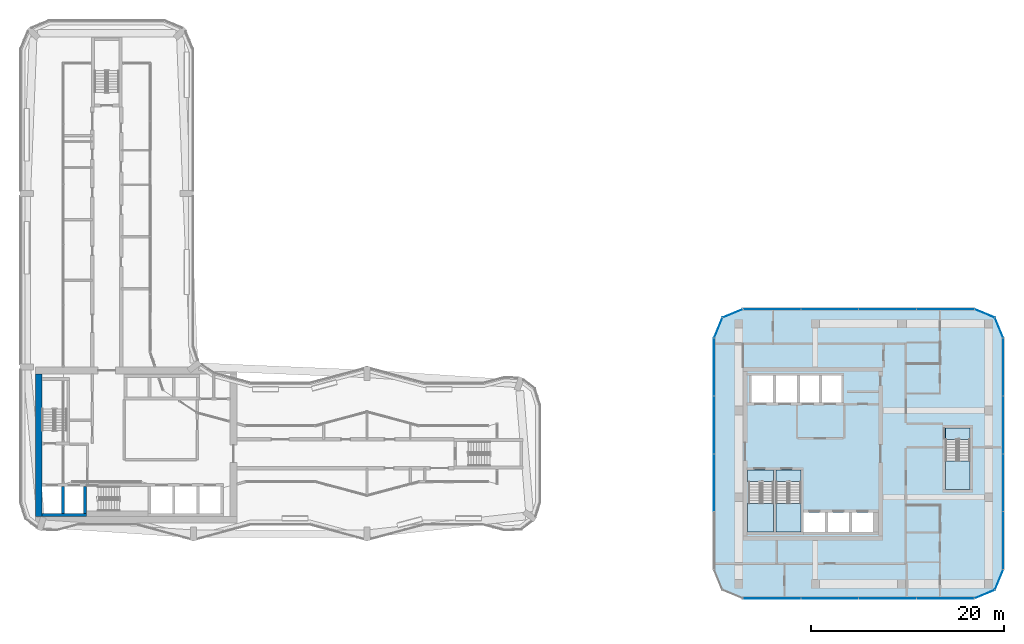
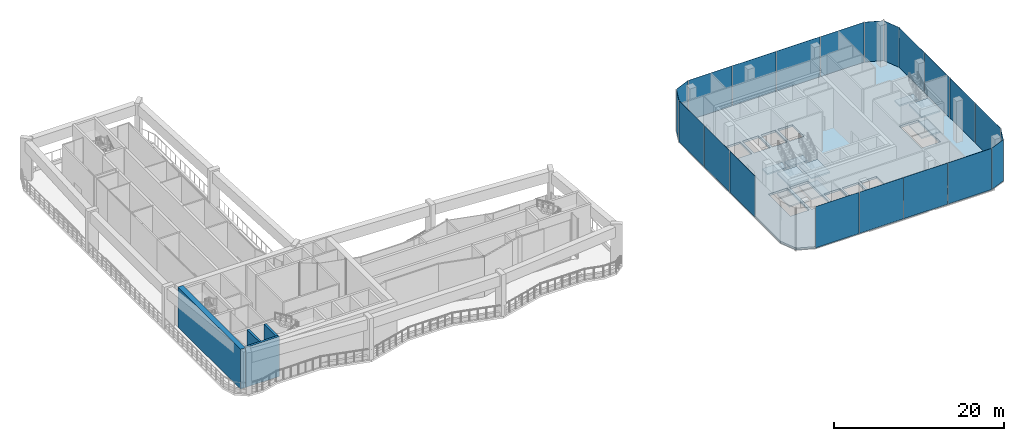
# One storey, part 13 of 24: 21 plates, 10 slabs, 4 walls, 13 elements without a shape of their own.
"""IFC4 building model written with IfcOpenShell, lengths in metres."""

import ifcopenshell
import ifcopenshell.guid

model = None  # the IFC model being written
_history = None  # IfcOwnerHistory: only IFC2X3 demands one
_inside = {}  # id of a spatial element -> (the spatial element, [elements in it])
_under = {}  # id of a project, library or spatial element -> (it, [spatial elements below it])
_declared = {}  # id of a project -> (the project, [libraries it declares])
_typed = {}  # id of a type object -> (the type object, [elements of that type])
_made_of = {}  # id of a material, layer set ... -> (it, [elements and type objects made of it])


def new_model(schema):
    """Start an empty IFC model of exactly this schema.

    Asked for "IFC4X3", IfcOpenShell would pick the latest addendum, in which some entities
    have other attributes; the version numbers below select the first issue.
    IFC2X3 requires an IfcOwnerHistory on every rooted entity: one is made here for all.
    """
    global model, _history
    if schema == "IFC4X3":
        model = ifcopenshell.file(schema_version=(4, 3, 0, 0))
    else:
        model = ifcopenshell.file(schema=schema)
    _inside.clear()
    _under.clear()
    _declared.clear()
    _typed.clear()
    _made_of.clear()
    _history = None
    if model.schema == "IFC2X3":
        org = make("IfcOrganization", Name="unknown")
        user = make(
            "IfcPersonAndOrganization",
            ThePerson=make("IfcPerson", FamilyName="unknown"),
            TheOrganization=org,
        )
        app = make(
            "IfcApplication",
            ApplicationDeveloper=org,
            Version="unknown",
            ApplicationFullName="unknown",
            ApplicationIdentifier="unknown",
        )
        _history = make(
            "IfcOwnerHistory",
            OwningUser=user,
            OwningApplication=app,
            ChangeAction="ADDED",
            CreationDate=0,
        )
    return model


def make(cls, **values):
    """One entity of the class cls with the attributes given. An attribute that is None is left unset."""
    return model.create_entity(
        cls, **{name: value for name, value in values.items() if value is not None}
    )


def rooted(cls, **values):
    """An entity with a GlobalId (a new one), such as an element, a storey or a relation."""
    return make(cls, GlobalId=ifcopenshell.guid.new(), OwnerHistory=_history, **values)


def si_unit(unit_type, name, prefix=None):
    """IfcSIUnit, for example si_unit("LENGTHUNIT", "METRE", prefix="MILLI")."""
    return make("IfcSIUnit", UnitType=unit_type, Prefix=prefix, Name=name)


def assignment(units):
    """IfcUnitAssignment: the units of a project."""
    return None if units is None else make("IfcUnitAssignment", Units=units)


def point(xyz):
    """IfcCartesianPoint."""
    return None if xyz is None else make("IfcCartesianPoint", Coordinates=xyz)


def direction(xyz):
    """IfcDirection."""
    return None if xyz is None else make("IfcDirection", DirectionRatios=xyz)


def frame(location, z_axis=None, x_axis=None):
    """IfcAxis2Placement3D, a coordinate frame: its origin and axes. An axis left out is left unset."""
    return make(
        "IfcAxis2Placement3D",
        Location=point(location),
        Axis=direction(z_axis),
        RefDirection=direction(x_axis),
    )


def frame_2d(location, x_axis=None):
    """IfcAxis2Placement2D, a coordinate frame in the plane: its origin and x axis."""
    return make(
        "IfcAxis2Placement2D", Location=point(location), RefDirection=direction(x_axis)
    )


def origin():
    """The frame at (0, 0, 0) with its axes left unset."""
    return frame((0.0, 0.0, 0.0))


def origin_2d():
    """The frame at (0, 0) in the plane with its x axis left unset."""
    return frame_2d((0.0, 0.0))


def place(relative_to, where):
    """IfcLocalPlacement: puts the frame where relative to a parent placement (None: the world)."""
    return make(
        "IfcLocalPlacement", PlacementRelTo=relative_to, RelativePlacement=where
    )


def context(
    kind, dimensions, precision=None, world=None, true_north=None, identifier=None
):
    """IfcGeometricRepresentationContext, for example the 3D "Model" context."""
    return make(
        "IfcGeometricRepresentationContext",
        ContextIdentifier=identifier,
        ContextType=kind,
        CoordinateSpaceDimension=dimensions,
        Precision=precision,
        WorldCoordinateSystem=world,
        TrueNorth=true_north,
    )


def subcontext(parent, identifier, kind, view, scale=None):
    """IfcGeometricRepresentationSubContext, for example "Body" below "Model"."""
    return make(
        "IfcGeometricRepresentationSubContext",
        ContextIdentifier=identifier,
        ContextType=kind,
        ParentContext=parent,
        TargetScale=scale,
        TargetView=view,
    )


def project(units=None, contexts=None):
    """IfcProject with its units and contexts."""
    return rooted(
        "IfcProject",
        Name="project",
        RepresentationContexts=contexts,
        UnitsInContext=assignment(units),
    )


def spatial(cls, under=None, at=None, **own):
    """A site, building, storey or space (cls), placed at a placement, below another one or the project."""
    s = rooted(cls, ObjectPlacement=at, **own)
    if under is not None:
        _under.setdefault(under.id(), (under, []))[1].append(s)
    return s


def polyline(points):
    """IfcPolyline through the points."""
    return make("IfcPolyline", Points=[point(p) for p in points])


def profile(cls, at=None, kind="AREA", **sizes):
    """A parametric profile (cls). Its sizes go by their IFC names, for example OverallWidth=200.0."""
    return make(cls, ProfileType=kind, Position=at, **sizes)


def rectangle(**sizes):
    """IfcRectangleProfileDef."""
    return profile("IfcRectangleProfileDef", **sizes)


def outline(outer, holes=None, kind="AREA"):
    """IfcArbitraryClosedProfileDef: a profile drawn as a closed curve; with holes, ...WithVoids."""
    if holes is None:
        return make("IfcArbitraryClosedProfileDef", ProfileType=kind, OuterCurve=outer)
    return make(
        "IfcArbitraryProfileDefWithVoids",
        ProfileType=kind,
        OuterCurve=outer,
        InnerCurves=holes,
    )


def extrude(swept, where, along, depth):
    """IfcExtrudedAreaSolid: the profile swept, set in the frame where, extruded along a direction by depth."""
    return make(
        "IfcExtrudedAreaSolid",
        SweptArea=swept,
        Position=where,
        ExtrudedDirection=direction(along),
        Depth=depth,
    )


def shape(context_of_items, identifier, shape_type, items):
    """IfcShapeRepresentation: the items that make up one representation, for example the "Body"."""
    return make(
        "IfcShapeRepresentation",
        ContextOfItems=context_of_items,
        RepresentationIdentifier=identifier,
        RepresentationType=shape_type,
        Items=items,
    )


def material(Name=None, Category=None):
    """IfcMaterial."""
    return make("IfcMaterial", Name=Name, Category=Category)


def layer(
    of_material, thickness, ventilated=None, Name=None, Category=None, Priority=None
):
    """IfcMaterialLayer: one layer of a wall or slab, of a material (None: an air gap)."""
    return make(
        "IfcMaterialLayer",
        Material=of_material,
        LayerThickness=thickness,
        IsVentilated=ventilated,
        Name=Name,
        Category=Category,
        Priority=Priority,
    )


def layer_set(layers, Name=None):
    """IfcMaterialLayerSet."""
    return make("IfcMaterialLayerSet", MaterialLayers=layers, LayerSetName=Name)


def made_of(thing, what):
    """Note that an element or type object is made of a material, layer set ...; save() writes the relation."""
    if what is not None:
        _made_of.setdefault(what.id(), (what, []))[1].append(thing)
    return thing


def type_object(cls, material=None, **own):
    """A type object (cls), such as IfcWallType, which elements share."""
    return made_of(rooted(cls, **own), material)


def element(
    cls,
    number,
    at=None,
    inside=None,
    cuts=None,
    type_object=None,
    material=None,
    context=None,
    identifier="Body",
    shape_type=None,
    held_by="IfcProductDefinitionShape",
    body=None,
    shapes=None,
    **own,
):
    """One element of the class cls, such as IfcWall. Its Tag is "e" and its number.

    at: its placement. inside: the storey or other place that contains it. cuts: it is an
    opening in that element (IfcRelVoidsElement). A single representation is given by context,
    identifier, shape_type and body (its items); several are given by shapes. held_by: the class
    of the entity that holds the representations. save() writes the other relations.
    """
    e = rooted(cls, Tag="e%d" % number, ObjectPlacement=at, **own)
    if body is not None:
        shapes = [shape(context, identifier, shape_type, body)]
    if shapes is not None:
        e.Representation = make(held_by, Representations=shapes)
    if inside is not None:
        _inside.setdefault(inside.id(), (inside, []))[1].append(e)
    if cuts is not None:
        rooted(
            "IfcRelVoidsElement", RelatingBuildingElement=cuts, RelatedOpeningElement=e
        )
    if type_object is not None:
        _typed.setdefault(type_object.id(), (type_object, []))[1].append(e)
    return made_of(e, material)


def aggregate(whole, parts):
    """IfcRelAggregates: a whole, such as a stair, and the parts it consists of."""
    return rooted("IfcRelAggregates", RelatingObject=whole, RelatedObjects=parts)


def save(model, path):
    """Write the relations noted so far, then the file.

    IfcRelAggregates (storeys below a building ...), IfcRelContainedInSpatialStructure (elements
    in a storey), IfcRelDefinesByType, IfcRelAssociatesMaterial and IfcRelDeclares: one each for
    every whole, place, type object, material and project.
    """
    for whole, parts in _under.values():
        aggregate(whole, parts)
    for where, things in _inside.values():
        rooted(
            "IfcRelContainedInSpatialStructure",
            RelatedElements=things,
            RelatingStructure=where,
        )
    for kind, things in _typed.values():
        rooted("IfcRelDefinesByType", RelatedObjects=things, RelatingType=kind)
    for what, things in _made_of.values():
        rooted("IfcRelAssociatesMaterial", RelatedObjects=things, RelatingMaterial=what)
    for by, libraries in _declared.values():
        rooted("IfcRelDeclares", RelatingContext=by, RelatedDefinitions=libraries)
    model.write(path)


model = new_model("IFC4")

# Units and contexts
model_context = context("Model", 3, precision=1e-05, world=origin(), true_north=direction((0.0, 1.0)))
body_context = subcontext(model_context, "Body", "Model", "MODEL_VIEW")
ifc_project = project(units=[si_unit("LENGTHUNIT", "METRE"), si_unit("AREAUNIT", "SQUARE_METRE"), si_unit("VOLUMEUNIT", "CUBIC_METRE"), si_unit("PLANEANGLEUNIT", "RADIAN"), si_unit("MASSUNIT", "GRAM", prefix="KILO")], contexts=[model_context])

# Site, building, storey
site_placement = place(None, origin())
site = spatial("IfcSite", under=ifc_project, at=site_placement, CompositionType="ELEMENT")
building_placement = place(site_placement, origin())
building = spatial("IfcBuilding", under=site, at=building_placement, Name="Plateau Cross Towers", CompositionType="ELEMENT")
storey_placement = place(building_placement, frame((0.0, 0.0, 72.300048828125)))
storey = spatial("IfcBuildingStorey", under=building, at=storey_placement, Name="L18", CompositionType="ELEMENT", Elevation=72.300048828125)

# Curtain wall, plates
ifc_material_1 = material(Name="Dark low-iron glass", Category="glass")
ifc_layer_1 = layer(ifc_material_1, 0.239990234375)
ifc_layer_set_1 = layer_set([ifc_layer_1], Name="Dark low-iron glass")
curtain_wall_type = type_object("IfcCurtainWallType", Name="Curtain wall office unitised CW-F", PredefinedType="NOTDEFINED", material=ifc_layer_set_1)
curtain_wall_1_placement = place(storey_placement, origin())
curtain_wall_1 = element("IfcCurtainWall", 1, at=curtain_wall_1_placement, inside=storey, type_object=curtain_wall_type, Name="ENV/B/L18/B750_-60", PredefinedType="NOTDEFINED")
ifc_layer_2 = layer(ifc_material_1, 0.028076171875)
ifc_layer_set_2 = layer_set([ifc_layer_2], Name="Dark low-iron glass")
plate_type = type_object("IfcPlateType", Name="Glass panel 28 office unitised", PredefinedType="CURTAIN_PANEL", material=ifc_layer_set_2)
plate_1_placement = place(storey_placement, frame((78.0, -6.0, -0.18017578125), z_axis=(0.0, 0.0, 1.0), x_axis=(1.0, 0.0, 0.0)))
plate_1 = element("IfcPlate", 2, at=plate_1_placement, type_object=plate_type, Name="CW-F panel 1", PredefinedType="CURTAIN_PANEL", context=body_context, shape_type="SweptSolid", body=[
    extrude(rectangle(XDim=5.93994140625, YDim=0.028076171875, at=origin_2d()), origin(), (0.0, 0.0, 1.0), 5.929931640625),
])
plate_2_placement = place(storey_placement, frame((84.0, -6.0, -0.18017578125), z_axis=(0.0, 0.0, 1.0), x_axis=(1.0, 0.0, 0.0)))
plate_2 = element("IfcPlate", 3, at=plate_2_placement, type_object=plate_type, Name="CW-F panel 2", PredefinedType="CURTAIN_PANEL", context=body_context, shape_type="SweptSolid", body=[
    extrude(rectangle(XDim=5.93994140625, YDim=0.028076171875, at=origin_2d()), origin(), (0.0, 0.0, 1.0), 5.929931640625),
])
plate_3_placement = place(storey_placement, frame((90.0, -6.0, -0.18017578125), z_axis=(0.0, 0.0, 1.0), x_axis=(1.0, 0.0, 0.0)))
plate_3 = element("IfcPlate", 4, at=plate_3_placement, type_object=plate_type, Name="CW-F panel 3", PredefinedType="CURTAIN_PANEL", context=body_context, shape_type="SweptSolid", body=[
    extrude(rectangle(XDim=5.93994140625, YDim=0.028076171875, at=origin_2d()), origin(), (0.0, 0.0, 1.0), 5.929931640625),
])
plate_4_placement = place(storey_placement, frame((96.0, -6.0, -0.18017578125), z_axis=(0.0, 0.0, 1.0), x_axis=(1.0, 0.0, 0.0)))
plate_4 = element("IfcPlate", 5, at=plate_4_placement, type_object=plate_type, Name="CW-F panel 4", PredefinedType="CURTAIN_PANEL", context=body_context, shape_type="SweptSolid", body=[
    extrude(rectangle(XDim=5.93994140625, YDim=0.028076171875, at=origin_2d()), origin(), (0.0, 0.0, 1.0), 5.929931640625),
])
aggregate(curtain_wall_1, [plate_1, plate_2, plate_3, plate_4])

# Curtain wall, plate
curtain_wall_2_placement = place(storey_placement, origin())
curtain_wall_2 = element("IfcCurtainWall", 6, at=curtain_wall_2_placement, inside=storey, type_object=curtain_wall_type, Name="ENV/B/L18/B990_-60", PredefinedType="NOTDEFINED")
plate_5_placement = place(storey_placement, frame((100.060546875, -5.560546875, -0.18017578125), z_axis=(0.0, 0.0, 1.0), x_axis=(0.923879457699, 0.382683612978, 0.0)))
plate_5 = element("IfcPlate", 7, at=plate_5_placement, type_object=plate_type, Name="CW-F panel 1", PredefinedType="CURTAIN_PANEL", context=body_context, shape_type="SweptSolid", body=[
    extrude(rectangle(XDim=2.236083984375, YDim=0.028076171875, at=origin_2d()), origin(), (0.0, 0.0, 1.0), 5.929931640625),
])
aggregate(curtain_wall_2, [plate_5])

curtain_wall_3_placement = place(storey_placement, origin())
curtain_wall_3 = element("IfcCurtainWall", 8, at=curtain_wall_3_placement, inside=storey, type_object=curtain_wall_type, Name="ENV/B/L18/B1011_-51", PredefinedType="NOTDEFINED")
plate_6_placement = place(storey_placement, frame((101.560546875, -4.060546875, -0.18017578125), z_axis=(0.0, 0.0, 1.0), x_axis=(0.382683612978, 0.923879457699, 0.0)))
plate_6 = element("IfcPlate", 9, at=plate_6_placement, type_object=plate_type, Name="CW-F panel 1", PredefinedType="CURTAIN_PANEL", context=body_context, shape_type="SweptSolid", body=[
    extrude(rectangle(XDim=2.236083984375, YDim=0.028076171875, at=origin_2d()), origin(), (0.0, 0.0, 1.0), 5.929931640625),
])
aggregate(curtain_wall_3, [plate_6])

# Curtain wall, plates
curtain_wall_4_placement = place(storey_placement, origin())
curtain_wall_4 = element("IfcCurtainWall", 10, at=curtain_wall_4_placement, inside=storey, type_object=curtain_wall_type, Name="ENV/B/L18/B1020_-30", PredefinedType="NOTDEFINED")
plate_7_placement = place(storey_placement, frame((102.0, 0.0, -0.18017578125), z_axis=(0.0, 0.0, 1.0), x_axis=(0.0, 1.0, 0.0)))
plate_7 = element("IfcPlate", 11, at=plate_7_placement, type_object=plate_type, Name="CW-F panel 1", PredefinedType="CURTAIN_PANEL", context=body_context, shape_type="SweptSolid", body=[
    extrude(rectangle(XDim=5.93994140625, YDim=0.028076171875, at=origin_2d()), origin(), (0.0, 0.0, 1.0), 5.929931640625),
])
plate_8_placement = place(storey_placement, frame((102.0, 6.0, -0.18017578125), z_axis=(0.0, 0.0, 1.0), x_axis=(0.0, 1.0, 0.0)))
plate_8 = element("IfcPlate", 12, at=plate_8_placement, type_object=plate_type, Name="CW-F panel 2", PredefinedType="CURTAIN_PANEL", context=body_context, shape_type="SweptSolid", body=[
    extrude(rectangle(XDim=5.93994140625, YDim=0.028076171875, at=origin_2d()), origin(), (0.0, 0.0, 1.0), 5.929931640625),
])
plate_9_placement = place(storey_placement, frame((102.0, 12.0, -0.18017578125), z_axis=(0.0, 0.0, 1.0), x_axis=(0.0, 1.0, 0.0)))
plate_9 = element("IfcPlate", 13, at=plate_9_placement, type_object=plate_type, Name="CW-F panel 3", PredefinedType="CURTAIN_PANEL", context=body_context, shape_type="SweptSolid", body=[
    extrude(rectangle(XDim=5.93994140625, YDim=0.028076171875, at=origin_2d()), origin(), (0.0, 0.0, 1.0), 5.929931640625),
])
plate_10_placement = place(storey_placement, frame((102.0, 18.0, -0.18017578125), z_axis=(0.0, 0.0, 1.0), x_axis=(0.0, 1.0, 0.0)))
plate_10 = element("IfcPlate", 14, at=plate_10_placement, type_object=plate_type, Name="CW-F panel 4", PredefinedType="CURTAIN_PANEL", context=body_context, shape_type="SweptSolid", body=[
    extrude(rectangle(XDim=5.93994140625, YDim=0.028076171875, at=origin_2d()), origin(), (0.0, 0.0, 1.0), 5.929931640625),
])
aggregate(curtain_wall_4, [plate_7, plate_8, plate_9, plate_10])

# Curtain wall, plate
curtain_wall_5_placement = place(storey_placement, origin())
curtain_wall_5 = element("IfcCurtainWall", 15, at=curtain_wall_5_placement, inside=storey, type_object=curtain_wall_type, Name="ENV/B/L18/B1020_210", PredefinedType="NOTDEFINED")
plate_11_placement = place(storey_placement, frame((101.560546875, 22.060546875, -0.18017578125), z_axis=(0.0, 0.0, 1.0), x_axis=(-0.382683612978, 0.923879457699, 0.0)))
plate_11 = element("IfcPlate", 16, at=plate_11_placement, type_object=plate_type, Name="CW-F panel 1", PredefinedType="CURTAIN_PANEL", context=body_context, shape_type="SweptSolid", body=[
    extrude(rectangle(XDim=2.236083984375, YDim=0.028076171875, at=origin_2d()), origin(), (0.0, 0.0, 1.0), 5.929931640625),
])
aggregate(curtain_wall_5, [plate_11])

curtain_wall_6_placement = place(storey_placement, origin())
curtain_wall_6 = element("IfcCurtainWall", 17, at=curtain_wall_6_placement, inside=storey, type_object=curtain_wall_type, Name="ENV/B/L18/B1011_231", PredefinedType="NOTDEFINED")
plate_12_placement = place(storey_placement, frame((100.060546875, 23.560546875, -0.18017578125), z_axis=(0.0, 0.0, 1.0), x_axis=(-0.923879457699, 0.382683612978, 0.0)))
plate_12 = element("IfcPlate", 18, at=plate_12_placement, type_object=plate_type, Name="CW-F panel 1", PredefinedType="CURTAIN_PANEL", context=body_context, shape_type="SweptSolid", body=[
    extrude(rectangle(XDim=2.236083984375, YDim=0.028076171875, at=origin_2d()), origin(), (0.0, 0.0, 1.0), 5.929931640625),
])
aggregate(curtain_wall_6, [plate_12])

# Curtain wall, plates
curtain_wall_7_placement = place(storey_placement, origin())
curtain_wall_7 = element("IfcCurtainWall", 19, at=curtain_wall_7_placement, inside=storey, type_object=curtain_wall_type, Name="ENV/B/L18/B990_240", PredefinedType="NOTDEFINED")
plate_13_placement = place(storey_placement, frame((96.0, 24.0, -0.18017578125), z_axis=(0.0, 0.0, 1.0), x_axis=(-1.0, 0.0, 0.0)))
plate_13 = element("IfcPlate", 20, at=plate_13_placement, type_object=plate_type, Name="CW-F panel 1", PredefinedType="CURTAIN_PANEL", context=body_context, shape_type="SweptSolid", body=[
    extrude(rectangle(XDim=5.93994140625, YDim=0.028076171875, at=origin_2d()), origin(), (0.0, 0.0, 1.0), 5.929931640625),
])
plate_14_placement = place(storey_placement, frame((90.0, 24.0, -0.18017578125), z_axis=(0.0, 0.0, 1.0), x_axis=(-1.0, 0.0, 0.0)))
plate_14 = element("IfcPlate", 21, at=plate_14_placement, type_object=plate_type, Name="CW-F panel 2", PredefinedType="CURTAIN_PANEL", context=body_context, shape_type="SweptSolid", body=[
    extrude(rectangle(XDim=5.93994140625, YDim=0.028076171875, at=origin_2d()), origin(), (0.0, 0.0, 1.0), 5.929931640625),
])
plate_15_placement = place(storey_placement, frame((84.0, 24.0, -0.18017578125), z_axis=(0.0, 0.0, 1.0), x_axis=(-1.0, 0.0, 0.0)))
plate_15 = element("IfcPlate", 22, at=plate_15_placement, type_object=plate_type, Name="CW-F panel 3", PredefinedType="CURTAIN_PANEL", context=body_context, shape_type="SweptSolid", body=[
    extrude(rectangle(XDim=5.93994140625, YDim=0.028076171875, at=origin_2d()), origin(), (0.0, 0.0, 1.0), 5.929931640625),
])
plate_16_placement = place(storey_placement, frame((78.0, 24.0, -0.18017578125), z_axis=(0.0, 0.0, 1.0), x_axis=(-1.0, 0.0, 0.0)))
plate_16 = element("IfcPlate", 23, at=plate_16_placement, type_object=plate_type, Name="CW-F panel 4", PredefinedType="CURTAIN_PANEL", context=body_context, shape_type="SweptSolid", body=[
    extrude(rectangle(XDim=5.93994140625, YDim=0.028076171875, at=origin_2d()), origin(), (0.0, 0.0, 1.0), 5.929931640625),
])
aggregate(curtain_wall_7, [plate_13, plate_14, plate_15, plate_16])

# Curtain wall, plate
curtain_wall_8_placement = place(storey_placement, origin())
curtain_wall_8 = element("IfcCurtainWall", 24, at=curtain_wall_8_placement, inside=storey, type_object=curtain_wall_type, Name="ENV/B/L18/B750_240", PredefinedType="NOTDEFINED")
plate_17_placement = place(storey_placement, frame((73.939453125, 23.560546875, -0.18017578125), z_axis=(0.0, 0.0, 1.0), x_axis=(-0.923879457699, -0.382683612978, 0.0)))
plate_17 = element("IfcPlate", 25, at=plate_17_placement, type_object=plate_type, Name="CW-F panel 1", PredefinedType="CURTAIN_PANEL", context=body_context, shape_type="SweptSolid", body=[
    extrude(rectangle(XDim=2.236083984375, YDim=0.028076171875, at=origin_2d()), origin(), (0.0, 0.0, 1.0), 5.929931640625),
])
aggregate(curtain_wall_8, [plate_17])

curtain_wall_9_placement = place(storey_placement, origin())
curtain_wall_9 = element("IfcCurtainWall", 26, at=curtain_wall_9_placement, inside=storey, type_object=curtain_wall_type, Name="ENV/B/L18/B729_231", PredefinedType="NOTDEFINED")
plate_18_placement = place(storey_placement, frame((72.439453125, 22.060546875, -0.18017578125), z_axis=(0.0, 0.0, 1.0), x_axis=(-0.382683612978, -0.923879457699, 0.0)))
plate_18 = element("IfcPlate", 27, at=plate_18_placement, type_object=plate_type, Name="CW-F panel 1", PredefinedType="CURTAIN_PANEL", context=body_context, shape_type="SweptSolid", body=[
    extrude(rectangle(XDim=2.236083984375, YDim=0.028076171875, at=origin_2d()), origin(), (0.0, 0.0, 1.0), 5.929931640625),
])
aggregate(curtain_wall_9, [plate_18])

# Curtain wall, plates
curtain_wall_10_placement = place(storey_placement, origin())
curtain_wall_10 = element("IfcCurtainWall", 28, at=curtain_wall_10_placement, inside=storey, type_object=curtain_wall_type, Name="ENV/B/L18/B720_210", PredefinedType="NOTDEFINED")
plate_19_placement = place(storey_placement, frame((72.0, 18.0, -0.18017578125), z_axis=(0.0, 0.0, 1.0), x_axis=(0.0, -1.0, 0.0)))
plate_19 = element("IfcPlate", 29, at=plate_19_placement, type_object=plate_type, Name="CW-F panel 1", PredefinedType="CURTAIN_PANEL", context=body_context, shape_type="SweptSolid", body=[
    extrude(rectangle(XDim=5.93994140625, YDim=0.028076171875, at=origin_2d()), origin(), (0.0, 0.0, 1.0), 5.929931640625),
])
plate_20_placement = place(storey_placement, frame((72.0, 12.0, -0.18017578125), z_axis=(0.0, 0.0, 1.0), x_axis=(0.0, -1.0, 0.0)))
plate_20 = element("IfcPlate", 30, at=plate_20_placement, type_object=plate_type, Name="CW-F panel 2", PredefinedType="CURTAIN_PANEL", context=body_context, shape_type="SweptSolid", body=[
    extrude(rectangle(XDim=5.93994140625, YDim=0.028076171875, at=origin_2d()), origin(), (0.0, 0.0, 1.0), 5.929931640625),
])
plate_21_placement = place(storey_placement, frame((72.0, 6.0, -0.18017578125), z_axis=(0.0, 0.0, 1.0), x_axis=(0.0, -1.0, 0.0)))
plate_21 = element("IfcPlate", 31, at=plate_21_placement, type_object=plate_type, Name="CW-F panel 3", PredefinedType="CURTAIN_PANEL", context=body_context, shape_type="SweptSolid", body=[
    extrude(rectangle(XDim=5.93994140625, YDim=0.028076171875, at=origin_2d()), origin(), (0.0, 0.0, 1.0), 5.929931640625),
])
aggregate(curtain_wall_10, [plate_19, plate_20, plate_21])

# Slab
ifc_material_2 = material(Name="Concrete C40/50", Category="concrete")
ifc_layer_3 = layer(ifc_material_2, 0.300048828125)
ifc_layer_set_3 = layer_set([ifc_layer_3], Name="Concrete C40/50")
slab_type_1 = type_object("IfcSlabType", Name="Post-tensioned flat plate slab 300", PredefinedType="FLOOR", material=ifc_layer_set_3)
slab_1_placement = place(storey_placement, frame((0.0, 0.0, -0.300048828125)))
element("IfcSlab", 32, at=slab_1_placement, inside=storey, type_object=slab_type_1, Name="SL-B-L18", PredefinedType="FLOOR", context=body_context, shape_type="SweptSolid", body=[
    extrude(outline(polyline([(72.878662109375, -5.121337890625), (72.0, -3.0), (72.0, 21.0), (72.878662109375, 23.121337890625), (75.0, 24.0), (99.0, 24.0), (101.121337890625, 23.121337890625), (102.0, 21.0), (102.0, -3.0), (101.121337890625, -5.121337890625), (99.0, -6.0), (75.0, -6.0), (72.878662109375, -5.121337890625)]), holes=[polyline([(75.60009765625, 0.89990234375), (78.14990234375, 0.89990234375), (78.14990234375, 6.10009765625), (75.60009765625, 6.10009765625), (75.60009765625, 0.89990234375)]), polyline([(78.10009765625, 14.300048828125), (78.10009765625, 17.10009765625), (75.89990234375, 17.10009765625), (75.89990234375, 14.300048828125), (78.10009765625, 14.300048828125)]), polyline([(83.5, 0.89990234375), (83.5, 2.89990234375), (81.300048828125, 2.89990234375), (81.300048828125, 0.89990234375), (83.5, 0.89990234375)]), polyline([(86.0, 0.89990234375), (86.0, 2.89990234375), (83.800048828125, 2.89990234375), (83.800048828125, 0.89990234375), (86.0, 0.89990234375)]), polyline([(88.5, 0.89990234375), (88.5, 2.89990234375), (86.300048828125, 2.89990234375), (86.300048828125, 0.89990234375), (88.5, 0.89990234375)]), polyline([(78.449951171875, 0.89990234375), (81.0, 0.89990234375), (81.0, 6.10009765625), (78.449951171875, 6.10009765625), (78.449951171875, 0.89990234375)]), polyline([(96.0, 5.300048828125), (98.550048828125, 5.300048828125), (98.550048828125, 10.5), (96.0, 10.5), (96.0, 5.300048828125)]), polyline([(80.60009765625, 14.300048828125), (80.60009765625, 17.10009765625), (78.39990234375, 17.10009765625), (78.39990234375, 14.300048828125), (80.60009765625, 14.300048828125)]), polyline([(80.89990234375, 14.300048828125), (82.89990234375, 14.300048828125), (82.89990234375, 17.10009765625), (80.89990234375, 17.10009765625), (80.89990234375, 14.300048828125)]), polyline([(83.199951171875, 14.300048828125), (85.199951171875, 14.300048828125), (85.199951171875, 17.10009765625), (83.199951171875, 17.10009765625), (83.199951171875, 14.300048828125)])]), origin(), (0.0, 0.0, 1.0), 0.300048828125),
])

# Stair, slabs
stair_type = type_object("IfcStairType", Name="ST-TWR", PredefinedType="HALF_TURN_STAIR", material=ifc_material_2)
stair_1_placement = place(storey_placement, origin())
stair_1 = element("IfcStair", 33, at=stair_1_placement, inside=storey, type_object=stair_type, Name="L18 Protected Exit Stair SB-1", PredefinedType="HALF_TURN_STAIR")
ifc_layer_4 = layer(ifc_material_2, 0.199951171875)
ifc_layer_set_4 = layer_set([ifc_layer_4], Name="Concrete C40/50")
slab_type_2 = type_object("IfcSlabType", Name="SL-LANDING", PredefinedType="LANDING", material=ifc_layer_set_4)
slab_2_placement = place(storey_placement, frame((0.0, 0.0, 1.300048828125)))
slab_2 = element("IfcSlab", 34, at=slab_2_placement, type_object=slab_type_2, Name="SB-1 landing 1", PredefinedType="LANDING", context=body_context, shape_type="SweptSolid", body=[
    extrude(outline(polyline([(75.449951171875, 3.860107421875), (75.449951171875, 0.89990234375), (78.14990234375, 0.89990234375), (78.14990234375, 3.860107421875), (75.449951171875, 3.860107421875)])), origin(), (0.0, 0.0, 1.0), 0.199951171875),
])
slab_3_placement = place(storey_placement, frame((0.0, 0.0, 2.800048828125)))
slab_3 = element("IfcSlab", 35, at=slab_3_placement, type_object=slab_type_2, Name="SB-1 landing 2", PredefinedType="LANDING", context=body_context, shape_type="SweptSolid", body=[
    extrude(outline(polyline([(75.449951171875, 7.300048828125), (75.449951171875, 6.10009765625), (78.14990234375, 6.10009765625), (78.14990234375, 7.300048828125), (75.449951171875, 7.300048828125)])), origin(), (0.0, 0.0, 1.0), 0.199951171875),
])
slab_4_placement = place(storey_placement, frame((0.0, 0.0, 4.300048828125)))
slab_4 = element("IfcSlab", 36, at=slab_4_placement, type_object=slab_type_2, Name="SB-1 landing 3", PredefinedType="LANDING", context=body_context, shape_type="SweptSolid", body=[
    extrude(outline(polyline([(75.449951171875, 3.860107421875), (75.449951171875, 0.89990234375), (78.14990234375, 0.89990234375), (78.14990234375, 3.860107421875), (75.449951171875, 3.860107421875)])), origin(), (0.0, 0.0, 1.0), 0.199951171875),
])
aggregate(stair_1, [slab_2, slab_3, slab_4])

stair_2_placement = place(storey_placement, origin())
stair_2 = element("IfcStair", 37, at=stair_2_placement, inside=storey, type_object=stair_type, Name="L18 Protected Exit Stair SB-2", PredefinedType="HALF_TURN_STAIR")
slab_5_placement = place(storey_placement, frame((0.0, 0.0, 1.300048828125)))
slab_5 = element("IfcSlab", 38, at=slab_5_placement, type_object=slab_type_2, Name="SB-2 landing 1", PredefinedType="LANDING", context=body_context, shape_type="SweptSolid", body=[
    extrude(outline(polyline([(78.449951171875, 3.860107421875), (78.449951171875, 0.89990234375), (81.0, 0.89990234375), (81.0, 3.860107421875), (78.449951171875, 3.860107421875)])), origin(), (0.0, 0.0, 1.0), 0.199951171875),
])
slab_6_placement = place(storey_placement, frame((0.0, 0.0, 2.800048828125)))
slab_6 = element("IfcSlab", 39, at=slab_6_placement, type_object=slab_type_2, Name="SB-2 landing 2", PredefinedType="LANDING", context=body_context, shape_type="SweptSolid", body=[
    extrude(outline(polyline([(78.449951171875, 7.300048828125), (78.449951171875, 6.10009765625), (81.0, 6.10009765625), (81.0, 7.300048828125), (78.449951171875, 7.300048828125)])), origin(), (0.0, 0.0, 1.0), 0.199951171875),
])
slab_7_placement = place(storey_placement, frame((0.0, 0.0, 4.300048828125)))
slab_7 = element("IfcSlab", 40, at=slab_7_placement, type_object=slab_type_2, Name="SB-2 landing 3", PredefinedType="LANDING", context=body_context, shape_type="SweptSolid", body=[
    extrude(outline(polyline([(78.449951171875, 3.860107421875), (78.449951171875, 0.89990234375), (81.0, 0.89990234375), (81.0, 3.860107421875), (78.449951171875, 3.860107421875)])), origin(), (0.0, 0.0, 1.0), 0.199951171875),
])
aggregate(stair_2, [slab_5, slab_6, slab_7])

stair_3_placement = place(storey_placement, origin())
stair_3 = element("IfcStair", 41, at=stair_3_placement, inside=storey, type_object=stair_type, Name="L18 Protected Exit Stair SB-3", PredefinedType="HALF_TURN_STAIR")
slab_8_placement = place(storey_placement, frame((0.0, 0.0, 1.300048828125)))
slab_8 = element("IfcSlab", 42, at=slab_8_placement, type_object=slab_type_2, Name="SB-3 landing 1", PredefinedType="LANDING", context=body_context, shape_type="SweptSolid", body=[
    extrude(outline(polyline([(96.0, 8.260009765625), (96.0, 5.300048828125), (98.550048828125, 5.300048828125), (98.550048828125, 8.260009765625), (96.0, 8.260009765625)])), origin(), (0.0, 0.0, 1.0), 0.199951171875),
])
slab_9_placement = place(storey_placement, frame((0.0, 0.0, 2.800048828125)))
slab_9 = element("IfcSlab", 43, at=slab_9_placement, type_object=slab_type_2, Name="SB-3 landing 2", PredefinedType="LANDING", context=body_context, shape_type="SweptSolid", body=[
    extrude(outline(polyline([(96.0, 11.699951171875), (96.0, 10.5), (98.550048828125, 10.5), (98.550048828125, 11.699951171875), (96.0, 11.699951171875)])), origin(), (0.0, 0.0, 1.0), 0.199951171875),
])
slab_10_placement = place(storey_placement, frame((0.0, 0.0, 4.300048828125)))
slab_10 = element("IfcSlab", 44, at=slab_10_placement, type_object=slab_type_2, Name="SB-3 landing 3", PredefinedType="LANDING", context=body_context, shape_type="SweptSolid", body=[
    extrude(outline(polyline([(96.0, 8.260009765625), (96.0, 5.300048828125), (98.550048828125, 5.300048828125), (98.550048828125, 8.260009765625), (96.0, 8.260009765625)])), origin(), (0.0, 0.0, 1.0), 0.199951171875),
])
aggregate(stair_3, [slab_8, slab_9, slab_10])

# Walls
ifc_material_3 = material(Name="Concrete C60/75", Category="concrete")
ifc_layer_5 = layer(ifc_material_3, 0.300048828125)
ifc_layer_set_5 = layer_set([ifc_layer_5], Name="Concrete C60/75")
wall_type_1 = type_object("IfcWallType", Name="Core shaft wall 300", PredefinedType="SHEAR", material=ifc_layer_set_5)
wall_1_placement = place(storey_placement, frame((2.300048828125, 2.64990234375, 0.0), z_axis=(0.0, 0.0, 1.0), x_axis=(1.0, 0.0, 0.0)))
element("IfcWall", 45, at=wall_1_placement, inside=storey, type_object=wall_type_1, Name="A-sb-back1@L18", PredefinedType="SHEAR", context=body_context, shape_type="SweptSolid", body=[
    extrude(rectangle(XDim=4.599853515625, YDim=0.300048828125, at=frame_2d((2.2998046875, 0.0))), origin(), (0.0, 0.0, 1.0), 5.75),
])
for number, where, z_axis, x_axis, name in (
    (46, (4.449951171875, 2.800048828125, 0.0), (0.0, 0.0, 1.0), (0.0, 1.0, 0.0), "A-sb-v1@L18"),
    (47, (6.75, 2.800048828125, 0.0), (0.0, 0.0, 1.0), (0.0, 1.0, 0.0), "A-sb-v2@L18"),
):
    element("IfcWall", number, at=place(storey_placement, frame(where, z_axis=z_axis, x_axis=x_axis)), inside=storey, type_object=wall_type_1, Name=name, PredefinedType="SHEAR", context=body_context, shape_type="SweptSolid", body=[
        extrude(rectangle(XDim=2.800048828125, YDim=0.300048828125, at=frame_2d((1.39990234375, 0.0))), origin(), (0.0, 0.0, 1.0), 5.75),
    ])
ifc_layer_6 = layer(ifc_material_3, 0.699951171875)
ifc_layer_set_6 = layer_set([ifc_layer_6], Name="Concrete C60/75")
wall_type_2 = type_object("IfcWallType", Name="Core shell wall 700", PredefinedType="SHEAR", material=ifc_layer_set_6)
wall_2_placement = place(storey_placement, frame((1.949951171875, 2.5, 0.0), z_axis=(0.0, 0.0, 1.0), x_axis=(0.0, 1.0, 0.0)))
element("IfcWall", 48, at=wall_2_placement, inside=storey, type_object=wall_type_2, Name="A-core-W@L18", PredefinedType="SHEAR", context=body_context, shape_type="SweptSolid", body=[
    extrude(rectangle(XDim=14.800048828125, YDim=0.699951171875, at=frame_2d((7.39990234375, 0.0))), origin(), (0.0, 0.0, 1.0), 5.75),
])

save(model, "model.ifc")
